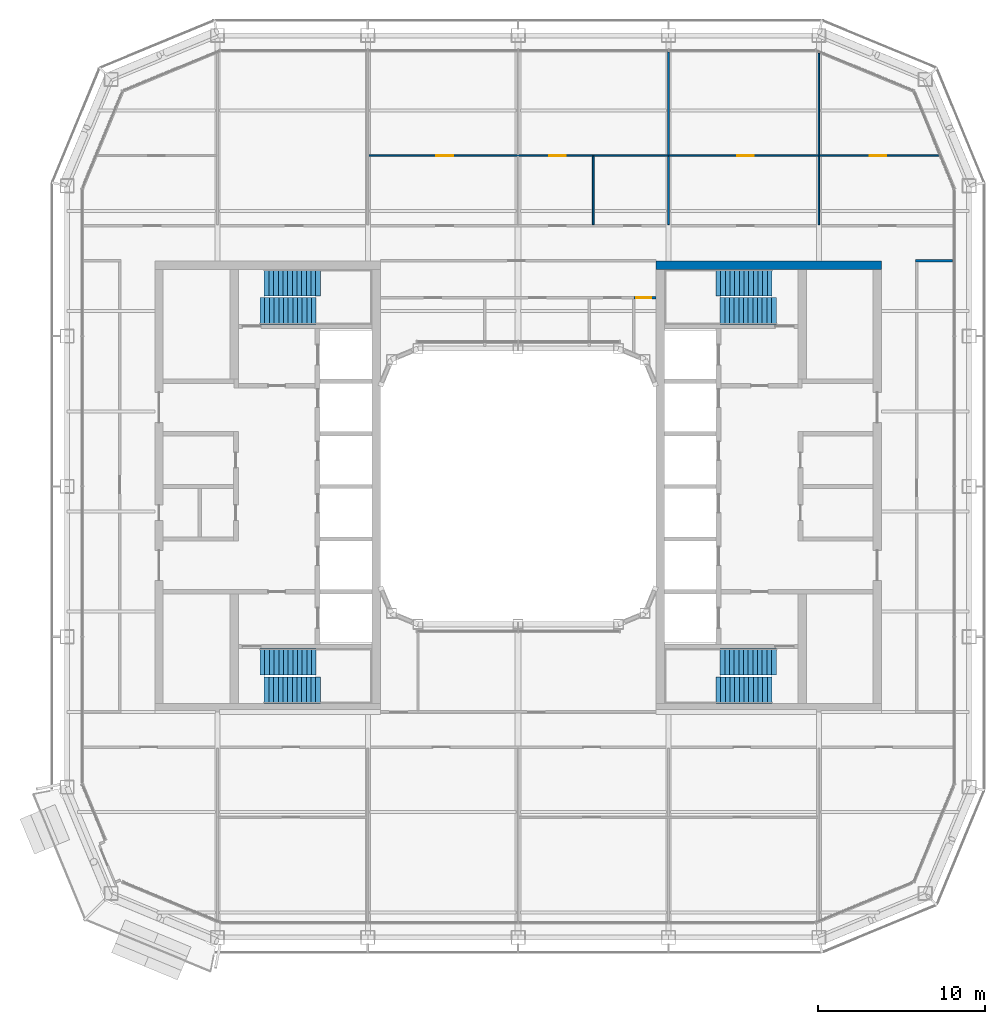
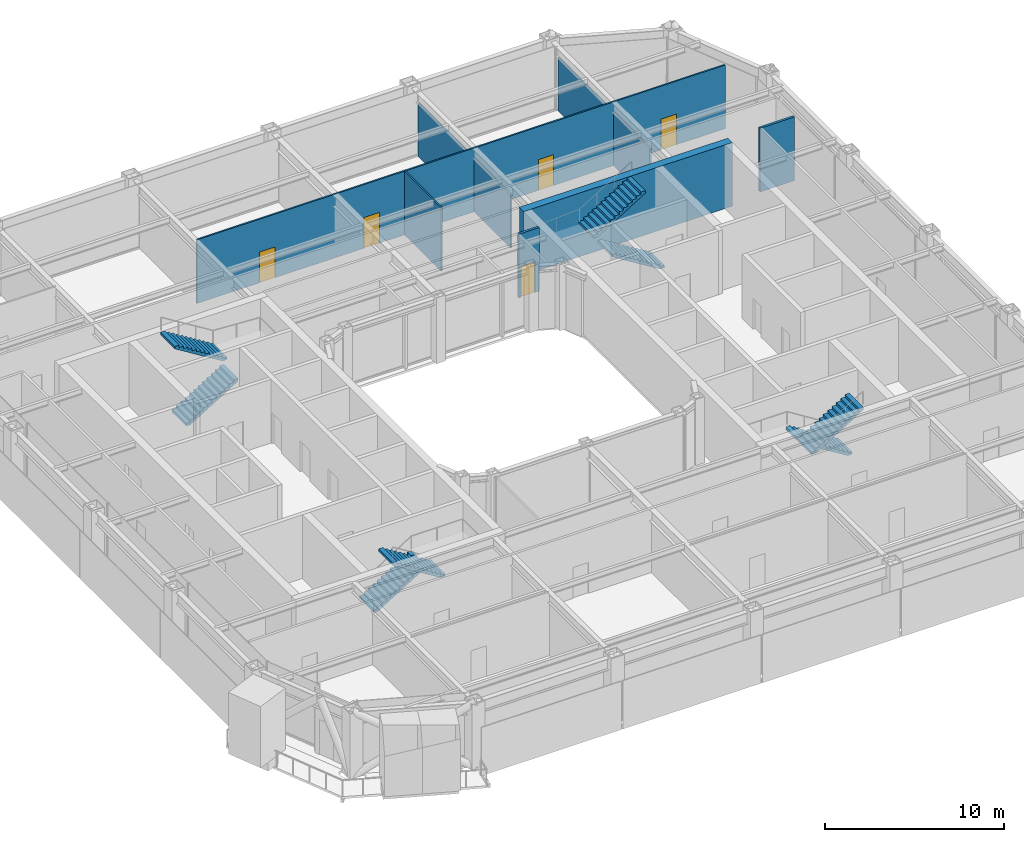
# One storey, part 16 of 23: 9 walls, 8 stair flights, 5 doors, 5 openings, 4 elements without a shape of their own.
"""IFC4 building model written with IfcOpenShell, lengths in metres."""

from ifc_helpers import new_model, si_unit, direction, frame, frame_2d, origin, place, context, subcontext, project, spatial, polyline, rectangle, outline, extrude, material, layer, layer_set, type_object, element, fill, aggregate, save


model = new_model("IFC4")

# Units and contexts
model_context = context("Model", 3, precision=1e-05, world=origin(), true_north=direction((0.0, 1.0)))
body_context = subcontext(model_context, "Body", "Model", "MODEL_VIEW")
ifc_project = project(units=[si_unit("LENGTHUNIT", "METRE"), si_unit("AREAUNIT", "SQUARE_METRE"), si_unit("VOLUMEUNIT", "CUBIC_METRE"), si_unit("PLANEANGLEUNIT", "RADIAN"), si_unit("MASSUNIT", "GRAM", prefix="KILO")], contexts=[model_context])

# Site, building, storey
site_placement = place(None, origin())
site = spatial("IfcSite", under=ifc_project, at=site_placement, CompositionType="ELEMENT")
building_placement = place(site_placement, origin())
building = spatial("IfcBuilding", under=site, at=building_placement, Name="Siwar Civic Tower", CompositionType="ELEMENT")
storey_placement = place(building_placement, frame((0.0, 0.0, 197.199951171875)))
storey = spatial("IfcBuildingStorey", under=building, at=storey_placement, Name="L42", CompositionType="ELEMENT", Elevation=197.199951171875)

# Wall, opening, door
ifc_material_1 = material(Name="Gypsum board on steel studs", Category="steel")
ifc_layer_1 = layer(ifc_material_1, 0.14990234375)
ifc_layer_set_1 = layer_set([ifc_layer_1], Name="Gypsum board on steel studs")
wall_type_1 = type_object("IfcWallType", Name="COMPARTMENT PARTITION 150 EI 60", PredefinedType="PARTITIONING", material=ifc_layer_set_1)
wall_1_placement = place(storey_placement, frame((6.919921875, 11.300048828125, 0.0), z_axis=(0.0, 0.0, 1.0), x_axis=(1.0, 0.0, 0.0)))
wall_1 = element("IfcWall", 1, at=wall_1_placement, inside=storey, type_object=wall_type_1, Name="L42/wall/P08", PredefinedType="PARTITIONING", context=body_context, shape_type="SweptSolid", body=[
    extrude(rectangle(XDim=1.330078125, YDim=0.14990234375, at=frame_2d((0.6650390625, 0.0))), origin(), (0.0, 0.0, 1.0), 4.35009765625),
])
opening_1_placement = place(wall_1_placement, frame((0.14990234375, 0.0, 0.0)))
opening_1 = element("IfcOpeningElement", 2, at=opening_1_placement, cuts=wall_1, Name="Opening D4", PredefinedType="OPENING", context=body_context, shape_type="SweptSolid", body=[
    extrude(rectangle(XDim=0.89990234375, YDim=2.10009765625, at=frame_2d((0.449951171875, 1.050048828125))), frame((0.0, 0.0849609375, 0.0), z_axis=(0.0, -1.0, 0.0), x_axis=(1.0, 0.0, 0.0)), (0.0, 0.0, 1.0), 0.169921875),
])
ifc_material_2 = material(Name="Timber, painted", Category="wood")
door_type_1 = type_object("IfcDoorType", Name="DOOR 900 X 2100 FD60", OperationType="SINGLE_SWING_LEFT", PredefinedType="DOOR", material=ifc_material_2)
door_1_placement = place(opening_1_placement, origin())
door_1 = element("IfcDoor", 3, at=door_1_placement, inside=storey, type_object=door_type_1, Name="L42-D28", OperationType="SINGLE_SWING_RIGHT", OverallHeight=2.10009765625, OverallWidth=0.89990234375, PredefinedType="DOOR", context=body_context, shape_type="SweptSolid", body=[
    extrude(rectangle(XDim=0.89990234375, YDim=2.10009765625, at=frame_2d((0.449951171875, 1.050048828125))), frame((0.0, 0.02490234375, 0.0), z_axis=(0.0, -1.0, 0.0), x_axis=(1.0, 0.0, 0.0)), (0.0, 0.0, 1.0), 0.050048828125),
])
fill(opening_1, door_1)

# Walls
ifc_material_3 = material(Name="Concrete C60/75", Category="concrete")
ifc_layer_2 = layer(ifc_material_3, 0.5)
ifc_layer_set_2 = layer_set([ifc_layer_2], Name="Concrete C60/75")
wall_type_2 = type_object("IfcWallType", Name="CORE-WALL-RC500", PredefinedType="SHEAR", material=ifc_layer_set_2)
wall_2_placement = place(storey_placement, frame((8.25, 13.25, 0.0), z_axis=(0.0, 0.0, 1.0), x_axis=(1.0, 0.0, 0.0)))
element("IfcWall", 4, at=wall_2_placement, inside=storey, type_object=wall_type_2, Name="Core wall E", PredefinedType="SHEAR", context=body_context, shape_type="SweptSolid", body=[
    extrude(rectangle(XDim=13.5, YDim=0.5, at=frame_2d((6.75, 0.0))), origin(), (0.0, 0.0, 1.0), 4.35009765625),
])
ifc_material_4 = material(Name="Gypsum board on steel studs", Category="steel")
ifc_layer_3 = layer(ifc_material_4, 0.14990234375)
ifc_layer_set_3 = layer_set([ifc_layer_3], Name="Gypsum board on steel studs")
wall_type_3 = type_object("IfcWallType", Name="CORRIDOR PARTITION 150 EI 30", PredefinedType="PARTITIONING", material=ifc_layer_set_3)
wall_3_placement = place(storey_placement, frame((23.77490234375, 13.5, 0.0), z_axis=(0.0, 0.0, 1.0), x_axis=(1.0, 0.0, 0.0)))
element("IfcWall", 5, at=wall_3_placement, inside=storey, type_object=wall_type_3, Name="L42/wall/P11", PredefinedType="PARTITIONING", context=body_context, shape_type="SweptSolid", body=[
    extrude(rectangle(XDim=2.235107421875, YDim=0.14990234375, at=frame_2d((1.11767578125, 0.0))), origin(), (0.0, 0.0, 1.0), 4.35009765625),
])

# Wall, openings, doors
ifc_material_5 = material(Name="Gypsum board on steel studs", Category="steel")
ifc_layer_4 = layer(ifc_material_5, 0.10009765625)
ifc_layer_set_4 = layer_set([ifc_layer_4], Name="Gypsum board on steel studs")
wall_type_4 = type_object("IfcWallType", Name="PARTITION 100 GYPSUM", PredefinedType="PARTITIONING", material=ifc_layer_set_4)
wall_4_placement = place(storey_placement, frame((-8.949951171875, 19.800048828125, 0.0), z_axis=(0.0, 0.0, 1.0), x_axis=(1.0, 0.0, 0.0)))
wall_4 = element("IfcWall", 6, at=wall_4_placement, inside=storey, type_object=wall_type_4, Name="L42/wall/P14", PredefinedType="PARTITIONING", context=body_context, shape_type="SweptSolid", body=[
    extrude(rectangle(XDim=34.133056640625, YDim=0.10009765625, at=frame_2d((17.06640625, 0.0))), origin(), (0.0, 0.0, 1.0), 4.35009765625),
])
opening_2_placement = place(wall_4_placement, frame((4.050048828125, 0.0, 0.0)))
opening_2 = element("IfcOpeningElement", 7, at=opening_2_placement, cuts=wall_4, Name="Opening D2", PredefinedType="OPENING", context=body_context, shape_type="SweptSolid", body=[
    extrude(rectangle(XDim=1.0, YDim=2.10009765625, at=frame_2d((0.5, 1.050048828125))), frame((0.0, 0.06005859375, 0.0), z_axis=(0.0, -1.0, 0.0), x_axis=(1.0, 0.0, 0.0)), (0.0, 0.0, 1.0), 0.1201171875),
])
opening_3_placement = place(wall_4_placement, frame((10.800048828125, 0.0, 0.0)))
opening_3 = element("IfcOpeningElement", 8, at=opening_3_placement, cuts=wall_4, Name="Opening D2", PredefinedType="OPENING", context=body_context, shape_type="SweptSolid", body=[
    extrude(rectangle(XDim=1.0, YDim=2.10009765625, at=frame_2d((0.5, 1.050048828125))), frame((0.0, 0.06005859375, 0.0), z_axis=(0.0, -1.0, 0.0), x_axis=(1.0, 0.0, 0.0)), (0.0, 0.0, 1.0), 0.1201171875),
])
opening_4_placement = place(wall_4_placement, frame((22.050048828125, 0.0, 0.0)))
opening_4 = element("IfcOpeningElement", 9, at=opening_4_placement, cuts=wall_4, Name="Opening D2", PredefinedType="OPENING", context=body_context, shape_type="SweptSolid", body=[
    extrude(rectangle(XDim=1.0, YDim=2.10009765625, at=frame_2d((0.5, 1.050048828125))), frame((0.0, 0.06005859375, 0.0), z_axis=(0.0, -1.0, 0.0), x_axis=(1.0, 0.0, 0.0)), (0.0, 0.0, 1.0), 0.1201171875),
])
opening_5_placement = place(wall_4_placement, frame((29.98291015625, 0.0, 0.0)))
opening_5 = element("IfcOpeningElement", 10, at=opening_5_placement, cuts=wall_4, Name="Opening D2", PredefinedType="OPENING", context=body_context, shape_type="SweptSolid", body=[
    extrude(rectangle(XDim=1.0, YDim=2.10009765625, at=frame_2d((0.5, 1.050048828125))), frame((0.0, 0.06005859375, 0.0), z_axis=(0.0, -1.0, 0.0), x_axis=(1.0, 0.0, 0.0)), (0.0, 0.0, 1.0), 0.1201171875),
])
ifc_material_6 = material(Name="Timber, painted", Category="wood")
door_type_2 = type_object("IfcDoorType", Name="DOOR 1000 X 2100", OperationType="SINGLE_SWING_LEFT", PredefinedType="DOOR", material=ifc_material_6)
door_2_placement = place(opening_2_placement, origin())
door_2 = element("IfcDoor", 11, at=door_2_placement, inside=storey, type_object=door_type_2, Name="L42-D03", OperationType="SINGLE_SWING_LEFT", OverallHeight=2.10009765625, OverallWidth=1.0, PredefinedType="DOOR", context=body_context, shape_type="SweptSolid", body=[
    extrude(rectangle(XDim=1.0, YDim=2.10009765625, at=frame_2d((0.5, 1.050048828125))), frame((0.0, 0.02490234375, 0.0), z_axis=(0.0, -1.0, 0.0), x_axis=(1.0, 0.0, 0.0)), (0.0, 0.0, 1.0), 0.050048828125),
])
fill(opening_2, door_2)
door_3_placement = place(opening_3_placement, origin())
door_3 = element("IfcDoor", 12, at=door_3_placement, inside=storey, type_object=door_type_2, Name="L42-D06", OperationType="SINGLE_SWING_RIGHT", OverallHeight=2.10009765625, OverallWidth=1.0, PredefinedType="DOOR", context=body_context, shape_type="SweptSolid", body=[
    extrude(rectangle(XDim=1.0, YDim=2.10009765625, at=frame_2d((0.5, 1.050048828125))), frame((0.0, 0.02490234375, 0.0), z_axis=(0.0, -1.0, 0.0), x_axis=(1.0, 0.0, 0.0)), (0.0, 0.0, 1.0), 0.050048828125),
])
fill(opening_3, door_3)
door_4_placement = place(opening_4_placement, origin())
door_4 = element("IfcDoor", 13, at=door_4_placement, inside=storey, type_object=door_type_2, Name="L42-D08", OperationType="SINGLE_SWING_RIGHT", OverallHeight=2.10009765625, OverallWidth=1.0, PredefinedType="DOOR", context=body_context, shape_type="SweptSolid", body=[
    extrude(rectangle(XDim=1.0, YDim=2.10009765625, at=frame_2d((0.5, 1.050048828125))), frame((0.0, 0.02490234375, 0.0), z_axis=(0.0, -1.0, 0.0), x_axis=(1.0, 0.0, 0.0)), (0.0, 0.0, 1.0), 0.050048828125),
])
fill(opening_4, door_4)
door_5_placement = place(opening_5_placement, origin())
door_5 = element("IfcDoor", 14, at=door_5_placement, inside=storey, type_object=door_type_2, Name="L42-D19", OperationType="SINGLE_SWING_LEFT", OverallHeight=2.10009765625, OverallWidth=1.0, PredefinedType="DOOR", context=body_context, shape_type="SweptSolid", body=[
    extrude(rectangle(XDim=1.0, YDim=2.10009765625, at=frame_2d((0.5, 1.050048828125))), frame((0.0, 0.02490234375, 0.0), z_axis=(0.0, -1.0, 0.0), x_axis=(1.0, 0.0, 0.0)), (0.0, 0.0, 1.0), 0.050048828125),
])
fill(opening_5, door_5)

# Walls
wall_5_placement = place(storey_placement, frame((4.5, 15.675048828125, 0.0), z_axis=(0.0, 0.0, 1.0), x_axis=(0.0, 1.0, 0.0)))
element("IfcWall", 15, at=wall_5_placement, inside=storey, type_object=wall_type_4, Name="L42/wall/P26", PredefinedType="PARTITIONING", context=body_context, shape_type="SweptSolid", body=[
    extrude(rectangle(XDim=4.074951171875, YDim=0.10009765625, at=frame_2d((2.03759765625, 0.0))), origin(), (0.0, 0.0, 1.0), 4.35009765625),
])
wall_6_placement = place(storey_placement, frame((9.0, 15.675048828125, 0.0), z_axis=(0.0, 0.0, 1.0), x_axis=(0.0, 1.0, 0.0)))
element("IfcWall", 16, at=wall_6_placement, inside=storey, type_object=wall_type_4, Name="L42/wall/P30", PredefinedType="PARTITIONING", context=body_context, shape_type="SweptSolid", body=[
    extrude(rectangle(XDim=4.074951171875, YDim=0.10009765625, at=frame_2d((2.03759765625, 0.0))), origin(), (0.0, 0.0, 1.0), 3.650146484375),
])
wall_7_placement = place(storey_placement, frame((9.0, 19.85009765625, 0.0), z_axis=(0.0, 0.0, 1.0), x_axis=(0.0, 1.0, 0.0)))
element("IfcWall", 17, at=wall_7_placement, inside=storey, type_object=wall_type_4, Name="L42/wall/P31", PredefinedType="PARTITIONING", context=body_context, shape_type="SweptSolid", body=[
    extrude(rectangle(XDim=6.159912109375, YDim=0.10009765625, at=frame_2d((3.080078125, 0.0))), origin(), (0.0, 0.0, 1.0), 3.650146484375),
])
wall_8_placement = place(storey_placement, frame((18.0, 15.675048828125, 0.0), z_axis=(0.0, 0.0, 1.0), x_axis=(0.0, 1.0, 0.0)))
element("IfcWall", 18, at=wall_8_placement, inside=storey, type_object=wall_type_4, Name="L42/wall/P33", PredefinedType="PARTITIONING", context=body_context, shape_type="SweptSolid", body=[
    extrude(rectangle(XDim=4.074951171875, YDim=0.10009765625, at=frame_2d((2.03759765625, 0.0))), origin(), (0.0, 0.0, 1.0), 3.650146484375),
])
wall_9_placement = place(storey_placement, frame((18.0, 19.85009765625, 0.0), z_axis=(0.0, 0.0, 1.0), x_axis=(0.0, 1.0, 0.0)))
element("IfcWall", 19, at=wall_9_placement, inside=storey, type_object=wall_type_4, Name="L42/wall/P34", PredefinedType="PARTITIONING", context=body_context, shape_type="SweptSolid", body=[
    extrude(rectangle(XDim=6.077880859375, YDim=0.10009765625, at=frame_2d((3.0390625, 0.0))), origin(), (0.0, 0.0, 1.0), 3.650146484375),
])

# Stair, stair flights
ifc_material_7 = material(Name="Concrete C40/50", Category="concrete")
stair_type = type_object("IfcStairType", Name="CORE-STAIR", PredefinedType="TWO_STRAIGHT_RUN_STAIR", material=ifc_material_7)
stair_1_placement = place(storey_placement, origin())
stair_1 = element("IfcStair", 20, at=stair_1_placement, inside=storey, type_object=stair_type, Name="Exit stair ST1", PredefinedType="TWO_STRAIGHT_RUN_STAIR")
ifc_material_8 = material(Name="Concrete C40/50", Category="concrete")
stair_flight_type = type_object("IfcStairFlightType", Name="CORE-STAIR-FLIGHT", PredefinedType="STRAIGHT", material=ifc_material_8)
stair_flight_1_placement = place(storey_placement, frame((-15.449951171875, 10.5, 0.0), z_axis=(0.0, 0.0, 1.0), x_axis=(1.0, 0.0, 0.0)))
stair_flight_1 = element("IfcStairFlight", 21, at=stair_flight_1_placement, type_object=stair_flight_type, Name="ST1 flight 1", NumberOfRisers=13, NumberOfTreads=12, PredefinedType="STRAIGHT", RiserHeight=0.173076923, TreadLength=0.28, context=body_context, shape_type="SweptSolid", body=[
    extrude(outline(polyline([(0.0, 0.0), (0.0, 0.173095703125), (0.280029296875, 0.173095703125), (0.280029296875, 0.34619140625), (0.56005859375, 0.34619140625), (0.56005859375, 0.519287109375), (0.840087890625, 0.519287109375), (0.840087890625, 0.6923828125), (1.1201171875, 0.6923828125), (1.1201171875, 0.865478515625), (1.39990234375, 0.865478515625), (1.39990234375, 1.03857421875), (1.679931640625, 1.03857421875), (1.679931640625, 1.21142578125), (1.9599609375, 1.21142578125), (1.9599609375, 1.384521484375), (2.239990234375, 1.384521484375), (2.239990234375, 1.5576171875), (2.52001953125, 1.5576171875), (2.52001953125, 1.730712890625), (2.800048828125, 1.730712890625), (2.800048828125, 1.90380859375), (3.080078125, 1.90380859375), (3.080078125, 2.076904296875), (3.360107421875, 2.076904296875), (3.360107421875, 2.25), (3.360107421875, 1.900634765625), (0.28515625, 0.0), (0.0, 0.0)])), frame((0.0, 0.800048828125, 0.0), z_axis=(0.0, -1.0, 0.0), x_axis=(1.0, 0.0, 0.0)), (0.0, 0.0, 1.0), 1.60009765625),
])
stair_flight_2_placement = place(storey_placement, frame((-11.840087890625, 12.199951171875, 2.25), z_axis=(0.0, 0.0, 1.0), x_axis=(-1.0, 0.0, 0.0)))
stair_flight_2 = element("IfcStairFlight", 22, at=stair_flight_2_placement, type_object=stair_flight_type, Name="ST1 flight 2", NumberOfRisers=13, NumberOfTreads=12, PredefinedType="STRAIGHT", RiserHeight=0.173076923, TreadLength=0.28, context=body_context, shape_type="SweptSolid", body=[
    extrude(outline(polyline([(0.0, 0.0), (0.0, 0.173095703125), (0.280029296875, 0.173095703125), (0.280029296875, 0.34619140625), (0.56005859375, 0.34619140625), (0.56005859375, 0.519287109375), (0.840087890625, 0.519287109375), (0.840087890625, 0.6923828125), (1.1201171875, 0.6923828125), (1.1201171875, 0.865478515625), (1.39990234375, 0.865478515625), (1.39990234375, 1.03857421875), (1.679931640625, 1.03857421875), (1.679931640625, 1.21142578125), (1.9599609375, 1.21142578125), (1.9599609375, 1.384521484375), (2.239990234375, 1.384521484375), (2.239990234375, 1.5576171875), (2.52001953125, 1.5576171875), (2.52001953125, 1.730712890625), (2.800048828125, 1.730712890625), (2.800048828125, 1.90380859375), (3.080078125, 1.90380859375), (3.080078125, 2.076904296875), (3.360107421875, 2.076904296875), (3.360107421875, 2.25), (3.360107421875, 1.900634765625), (0.28515625, 0.0), (0.0, 0.0)])), frame((0.0, 0.800048828125, 0.0), z_axis=(0.0, -1.0, 0.0), x_axis=(1.0, 0.0, 0.0)), (0.0, 0.0, 1.0), 1.60009765625),
])
aggregate(stair_1, [stair_flight_1, stair_flight_2])

stair_2_placement = place(storey_placement, origin())
stair_2 = element("IfcStair", 23, at=stair_2_placement, inside=storey, type_object=stair_type, Name="Exit stair ST2", PredefinedType="TWO_STRAIGHT_RUN_STAIR")
stair_flight_3_placement = place(storey_placement, frame((-15.449951171875, -10.5, 0.0), z_axis=(0.0, 0.0, 1.0), x_axis=(1.0, 0.0, 0.0)))
stair_flight_3 = element("IfcStairFlight", 24, at=stair_flight_3_placement, type_object=stair_flight_type, Name="ST2 flight 1", NumberOfRisers=13, NumberOfTreads=12, PredefinedType="STRAIGHT", RiserHeight=0.173076923, TreadLength=0.28, context=body_context, shape_type="SweptSolid", body=[
    extrude(outline(polyline([(0.0, 0.0), (0.0, 0.173095703125), (0.280029296875, 0.173095703125), (0.280029296875, 0.34619140625), (0.56005859375, 0.34619140625), (0.56005859375, 0.519287109375), (0.840087890625, 0.519287109375), (0.840087890625, 0.6923828125), (1.1201171875, 0.6923828125), (1.1201171875, 0.865478515625), (1.39990234375, 0.865478515625), (1.39990234375, 1.03857421875), (1.679931640625, 1.03857421875), (1.679931640625, 1.21142578125), (1.9599609375, 1.21142578125), (1.9599609375, 1.384521484375), (2.239990234375, 1.384521484375), (2.239990234375, 1.5576171875), (2.52001953125, 1.5576171875), (2.52001953125, 1.730712890625), (2.800048828125, 1.730712890625), (2.800048828125, 1.90380859375), (3.080078125, 1.90380859375), (3.080078125, 2.076904296875), (3.360107421875, 2.076904296875), (3.360107421875, 2.25), (3.360107421875, 1.900634765625), (0.28515625, 0.0), (0.0, 0.0)])), frame((0.0, 0.800048828125, 0.0), z_axis=(0.0, -1.0, 0.0), x_axis=(1.0, 0.0, 0.0)), (0.0, 0.0, 1.0), 1.60009765625),
])
stair_flight_4_placement = place(storey_placement, frame((-11.840087890625, -12.199951171875, 2.25), z_axis=(0.0, 0.0, 1.0), x_axis=(-1.0, 0.0, 0.0)))
stair_flight_4 = element("IfcStairFlight", 25, at=stair_flight_4_placement, type_object=stair_flight_type, Name="ST2 flight 2", NumberOfRisers=13, NumberOfTreads=12, PredefinedType="STRAIGHT", RiserHeight=0.173076923, TreadLength=0.28, context=body_context, shape_type="SweptSolid", body=[
    extrude(outline(polyline([(0.0, 0.0), (0.0, 0.173095703125), (0.280029296875, 0.173095703125), (0.280029296875, 0.34619140625), (0.56005859375, 0.34619140625), (0.56005859375, 0.519287109375), (0.840087890625, 0.519287109375), (0.840087890625, 0.6923828125), (1.1201171875, 0.6923828125), (1.1201171875, 0.865478515625), (1.39990234375, 0.865478515625), (1.39990234375, 1.03857421875), (1.679931640625, 1.03857421875), (1.679931640625, 1.21142578125), (1.9599609375, 1.21142578125), (1.9599609375, 1.384521484375), (2.239990234375, 1.384521484375), (2.239990234375, 1.5576171875), (2.52001953125, 1.5576171875), (2.52001953125, 1.730712890625), (2.800048828125, 1.730712890625), (2.800048828125, 1.90380859375), (3.080078125, 1.90380859375), (3.080078125, 2.076904296875), (3.360107421875, 2.076904296875), (3.360107421875, 2.25), (3.360107421875, 1.900634765625), (0.28515625, 0.0), (0.0, 0.0)])), frame((0.0, 0.800048828125, 0.0), z_axis=(0.0, -1.0, 0.0), x_axis=(1.0, 0.0, 0.0)), (0.0, 0.0, 1.0), 1.60009765625),
])
aggregate(stair_2, [stair_flight_3, stair_flight_4])

stair_3_placement = place(storey_placement, origin())
stair_3 = element("IfcStair", 26, at=stair_3_placement, inside=storey, type_object=stair_type, Name="Exit stair ST3", PredefinedType="TWO_STRAIGHT_RUN_STAIR")
stair_flight_5_placement = place(storey_placement, frame((15.449951171875, 10.5, 0.0), z_axis=(0.0, 0.0, 1.0), x_axis=(-1.0, 0.0, 0.0)))
stair_flight_5 = element("IfcStairFlight", 27, at=stair_flight_5_placement, type_object=stair_flight_type, Name="ST3 flight 1", NumberOfRisers=13, NumberOfTreads=12, PredefinedType="STRAIGHT", RiserHeight=0.173076923, TreadLength=0.28, context=body_context, shape_type="SweptSolid", body=[
    extrude(outline(polyline([(0.0, 0.0), (0.0, 0.173095703125), (0.280029296875, 0.173095703125), (0.280029296875, 0.34619140625), (0.56005859375, 0.34619140625), (0.56005859375, 0.519287109375), (0.840087890625, 0.519287109375), (0.840087890625, 0.6923828125), (1.1201171875, 0.6923828125), (1.1201171875, 0.865478515625), (1.39990234375, 0.865478515625), (1.39990234375, 1.03857421875), (1.679931640625, 1.03857421875), (1.679931640625, 1.21142578125), (1.9599609375, 1.21142578125), (1.9599609375, 1.384521484375), (2.239990234375, 1.384521484375), (2.239990234375, 1.5576171875), (2.52001953125, 1.5576171875), (2.52001953125, 1.730712890625), (2.800048828125, 1.730712890625), (2.800048828125, 1.90380859375), (3.080078125, 1.90380859375), (3.080078125, 2.076904296875), (3.360107421875, 2.076904296875), (3.360107421875, 2.25), (3.360107421875, 1.900634765625), (0.28515625, 0.0), (0.0, 0.0)])), frame((0.0, 0.800048828125, 0.0), z_axis=(0.0, -1.0, 0.0), x_axis=(1.0, 0.0, 0.0)), (0.0, 0.0, 1.0), 1.60009765625),
])
stair_flight_6_placement = place(storey_placement, frame((11.840087890625, 12.199951171875, 2.25), z_axis=(0.0, 0.0, 1.0), x_axis=(1.0, 0.0, 0.0)))
stair_flight_6 = element("IfcStairFlight", 28, at=stair_flight_6_placement, type_object=stair_flight_type, Name="ST3 flight 2", NumberOfRisers=13, NumberOfTreads=12, PredefinedType="STRAIGHT", RiserHeight=0.173076923, TreadLength=0.28, context=body_context, shape_type="SweptSolid", body=[
    extrude(outline(polyline([(0.0, 0.0), (0.0, 0.173095703125), (0.280029296875, 0.173095703125), (0.280029296875, 0.34619140625), (0.56005859375, 0.34619140625), (0.56005859375, 0.519287109375), (0.840087890625, 0.519287109375), (0.840087890625, 0.6923828125), (1.1201171875, 0.6923828125), (1.1201171875, 0.865478515625), (1.39990234375, 0.865478515625), (1.39990234375, 1.03857421875), (1.679931640625, 1.03857421875), (1.679931640625, 1.21142578125), (1.9599609375, 1.21142578125), (1.9599609375, 1.384521484375), (2.239990234375, 1.384521484375), (2.239990234375, 1.5576171875), (2.52001953125, 1.5576171875), (2.52001953125, 1.730712890625), (2.800048828125, 1.730712890625), (2.800048828125, 1.90380859375), (3.080078125, 1.90380859375), (3.080078125, 2.076904296875), (3.360107421875, 2.076904296875), (3.360107421875, 2.25), (3.360107421875, 1.900634765625), (0.28515625, 0.0), (0.0, 0.0)])), frame((0.0, 0.800048828125, 0.0), z_axis=(0.0, -1.0, 0.0), x_axis=(1.0, 0.0, 0.0)), (0.0, 0.0, 1.0), 1.60009765625),
])
aggregate(stair_3, [stair_flight_5, stair_flight_6])

stair_4_placement = place(storey_placement, origin())
stair_4 = element("IfcStair", 29, at=stair_4_placement, inside=storey, type_object=stair_type, Name="Exit stair ST4", PredefinedType="TWO_STRAIGHT_RUN_STAIR")
stair_flight_7_placement = place(storey_placement, frame((15.449951171875, -10.5, 0.0), z_axis=(0.0, 0.0, 1.0), x_axis=(-1.0, 0.0, 0.0)))
stair_flight_7 = element("IfcStairFlight", 30, at=stair_flight_7_placement, type_object=stair_flight_type, Name="ST4 flight 1", NumberOfRisers=13, NumberOfTreads=12, PredefinedType="STRAIGHT", RiserHeight=0.173076923, TreadLength=0.28, context=body_context, shape_type="SweptSolid", body=[
    extrude(outline(polyline([(0.0, 0.0), (0.0, 0.173095703125), (0.280029296875, 0.173095703125), (0.280029296875, 0.34619140625), (0.56005859375, 0.34619140625), (0.56005859375, 0.519287109375), (0.840087890625, 0.519287109375), (0.840087890625, 0.6923828125), (1.1201171875, 0.6923828125), (1.1201171875, 0.865478515625), (1.39990234375, 0.865478515625), (1.39990234375, 1.03857421875), (1.679931640625, 1.03857421875), (1.679931640625, 1.21142578125), (1.9599609375, 1.21142578125), (1.9599609375, 1.384521484375), (2.239990234375, 1.384521484375), (2.239990234375, 1.5576171875), (2.52001953125, 1.5576171875), (2.52001953125, 1.730712890625), (2.800048828125, 1.730712890625), (2.800048828125, 1.90380859375), (3.080078125, 1.90380859375), (3.080078125, 2.076904296875), (3.360107421875, 2.076904296875), (3.360107421875, 2.25), (3.360107421875, 1.900634765625), (0.28515625, 0.0), (0.0, 0.0)])), frame((0.0, 0.800048828125, 0.0), z_axis=(0.0, -1.0, 0.0), x_axis=(1.0, 0.0, 0.0)), (0.0, 0.0, 1.0), 1.60009765625),
])
stair_flight_8_placement = place(storey_placement, frame((11.840087890625, -12.199951171875, 2.25), z_axis=(0.0, 0.0, 1.0), x_axis=(1.0, 0.0, 0.0)))
stair_flight_8 = element("IfcStairFlight", 31, at=stair_flight_8_placement, type_object=stair_flight_type, Name="ST4 flight 2", NumberOfRisers=13, NumberOfTreads=12, PredefinedType="STRAIGHT", RiserHeight=0.173076923, TreadLength=0.28, context=body_context, shape_type="SweptSolid", body=[
    extrude(outline(polyline([(0.0, 0.0), (0.0, 0.173095703125), (0.280029296875, 0.173095703125), (0.280029296875, 0.34619140625), (0.56005859375, 0.34619140625), (0.56005859375, 0.519287109375), (0.840087890625, 0.519287109375), (0.840087890625, 0.6923828125), (1.1201171875, 0.6923828125), (1.1201171875, 0.865478515625), (1.39990234375, 0.865478515625), (1.39990234375, 1.03857421875), (1.679931640625, 1.03857421875), (1.679931640625, 1.21142578125), (1.9599609375, 1.21142578125), (1.9599609375, 1.384521484375), (2.239990234375, 1.384521484375), (2.239990234375, 1.5576171875), (2.52001953125, 1.5576171875), (2.52001953125, 1.730712890625), (2.800048828125, 1.730712890625), (2.800048828125, 1.90380859375), (3.080078125, 1.90380859375), (3.080078125, 2.076904296875), (3.360107421875, 2.076904296875), (3.360107421875, 2.25), (3.360107421875, 1.900634765625), (0.28515625, 0.0), (0.0, 0.0)])), frame((0.0, 0.800048828125, 0.0), z_axis=(0.0, -1.0, 0.0), x_axis=(1.0, 0.0, 0.0)), (0.0, 0.0, 1.0), 1.60009765625),
])
aggregate(stair_4, [stair_flight_7, stair_flight_8])

save(model, "model.ifc")
